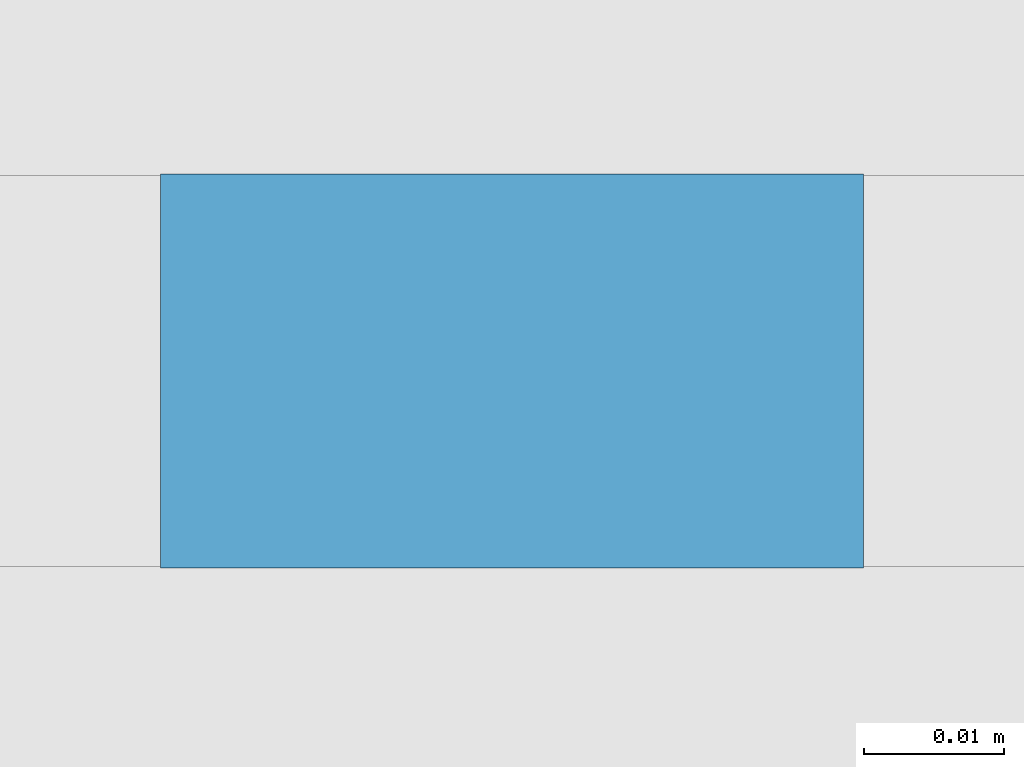
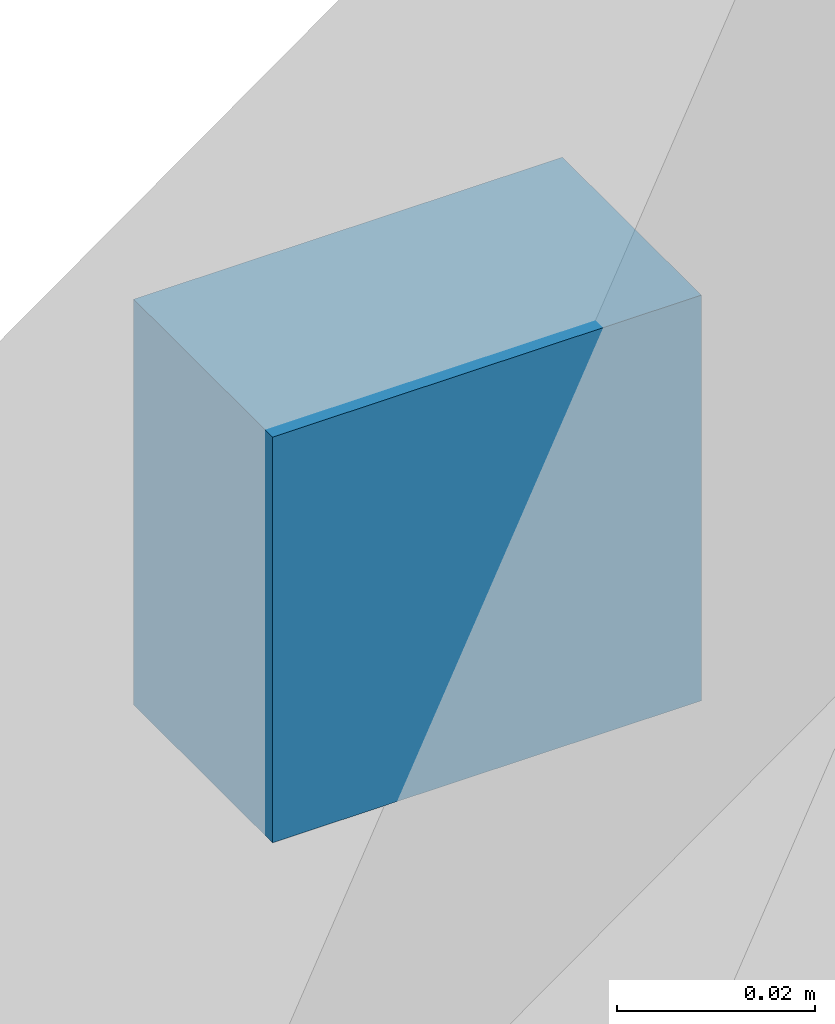
# One storey, part 14 of 18: 1 discrete accessory, 1 element without a shape of its own.
"""IFC4 building model written with IfcOpenShell, lengths in metres."""

from ifc_helpers import new_model, si_unit, direction, frame, origin, origin_2d, place, context, subcontext, project, spatial, rectangle, extrude, material, type_object, element, aggregate, save


model = new_model("IFC4")

# Units and contexts
model_context = context("Model", 3, precision=1e-05, world=origin(), true_north=direction((0.0, 1.0)))
body_context = subcontext(model_context, "Body", "Model", "MODEL_VIEW")
ifc_project = project(units=[si_unit("LENGTHUNIT", "METRE"), si_unit("AREAUNIT", "SQUARE_METRE"), si_unit("VOLUMEUNIT", "CUBIC_METRE"), si_unit("PLANEANGLEUNIT", "RADIAN"), si_unit("MASSUNIT", "GRAM", prefix="KILO")], contexts=[model_context])

# Site, building, storey
site_placement = place(None, origin())
site = spatial("IfcSite", under=ifc_project, at=site_placement, CompositionType="ELEMENT")
building_placement = place(site_placement, origin())
building = spatial("IfcBuilding", under=site, at=building_placement, Name="Tessera Arch", CompositionType="ELEMENT")
storey_placement = place(building_placement, frame((0.0, 0.0, 154.39990234375)))
storey = spatial("IfcBuildingStorey", under=building, at=storey_placement, Name="L36", CompositionType="ELEMENT", Elevation=154.39990234375)

# Curtain wall, discrete accessory
ifc_material = material(Name="CW3 curtain wall")
curtain_wall_type = type_object("IfcCurtainWallType", Name="CW3 curtain wall", PredefinedType="NOTDEFINED", material=ifc_material)
curtain_wall_placement = place(storey_placement, origin())
curtain_wall = element("IfcCurtainWall", 1, at=curtain_wall_placement, inside=storey, type_object=curtain_wall_type, Name="CW3 curtain wall N54.0/3 L36", PredefinedType="NOTDEFINED")
discrete_accessory_placement = place(storey_placement, frame((21.954833984375, 54.0439453125, 1.10888671875), z_axis=(0.0, 0.0, 1.0), x_axis=(-1.0, 0.0, 0.0)))
discrete_accessory = element("IfcDiscreteAccessory", 2, at=discrete_accessory_placement, Name="Glazing bracket", PredefinedType="BRACKET", context=body_context, shape_type="SweptSolid", body=[
    extrude(rectangle(XDim=0.050048828125, YDim=0.028076171875, at=origin_2d()), origin(), (0.0, 0.0, 1.0), 0.050048828125),
])
aggregate(curtain_wall, [discrete_accessory])

save(model, "model.ifc")
